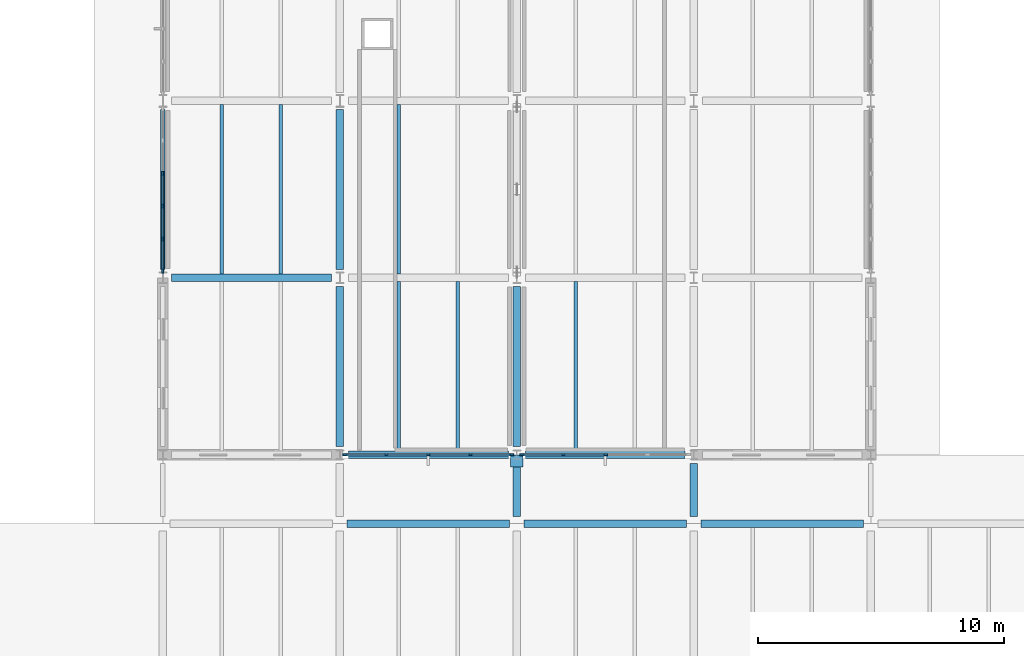
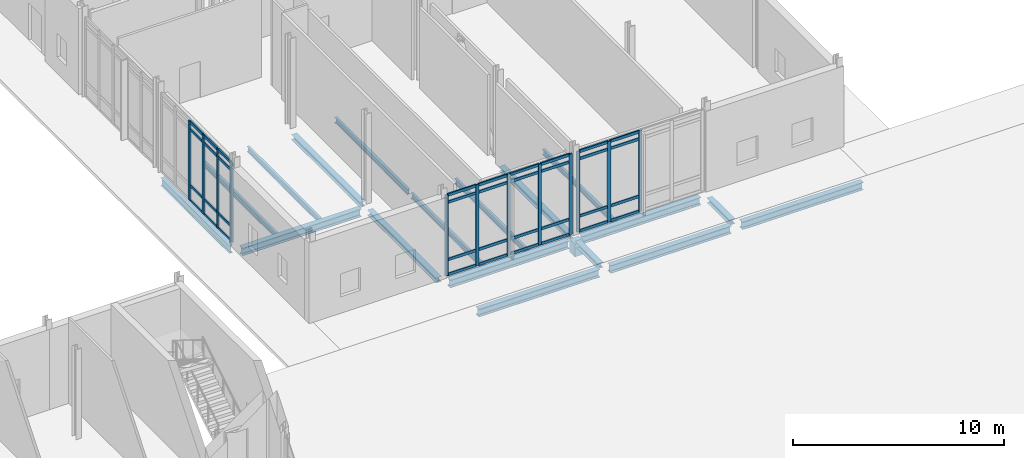
# One storey, part 31 of 89: 48 members, 19 beams, 3 elements without a shape of their own.
"""IFC4 building model written with IfcOpenShell, lengths in metres."""

from ifc_helpers import new_model, si_unit, direction, frame, origin, origin_2d, place, context, subcontext, project, spatial, rectangle, i_section, extrude, material, layer, layer_set, material_profile, profile_set, type_object, element, aggregate, save


model = new_model("IFC4")

# Units and contexts
model_context = context("Model", 3, precision=1e-05, world=origin(), true_north=direction((0.0, 1.0)))
body_context = subcontext(model_context, "Body", "Model", "MODEL_VIEW")
ifc_project = project(units=[si_unit("LENGTHUNIT", "METRE"), si_unit("AREAUNIT", "SQUARE_METRE"), si_unit("VOLUMEUNIT", "CUBIC_METRE"), si_unit("PLANEANGLEUNIT", "RADIAN"), si_unit("MASSUNIT", "GRAM", prefix="KILO")], contexts=[model_context])

# Site, building, storey
site_placement = place(None, origin())
site = spatial("IfcSite", under=ifc_project, at=site_placement, CompositionType="ELEMENT")
building_placement = place(site_placement, origin())
building = spatial("IfcBuilding", under=site, at=building_placement, Name="Zarrinpeak Specialist Clinic", CompositionType="ELEMENT")
storey_placement = place(building_placement, origin())
storey = spatial("IfcBuildingStorey", under=building, at=storey_placement, Name="L00", CompositionType="ELEMENT", Elevation=0.0)

# Beams
ifc_material_1 = material(Name="Steel S355", Category="steel")
ifc_material_profile_1 = material_profile(ifc_material_1, i_section(OverallWidth=0.300048828125, OverallDepth=0.2900390625, WebThickness=0.008544921875, FlangeThickness=0.013916015625, FilletRadius=0.027099609375, at=origin_2d()), Name="HEA 300")
ifc_profile_set_1 = profile_set([ifc_material_profile_1], Name="Steel S355")
beam_type_1 = type_object("IfcBeamType", Name="BM-HEA300", PredefinedType="BEAM", material=ifc_profile_set_1)
beam_1_placement = place(storey_placement, frame((43.199951171875, 82.347900390625, -0.39501953125), z_axis=(0.0, 1.0, 0.0), x_axis=(-1.0, 0.0, 0.0)))
element("IfcBeam", 1, at=beam_1_placement, inside=storey, type_object=beam_type_1, Name="L00 Primary Beam BM-L00-Y0290", PredefinedType="BEAM", context=body_context, shape_type="SweptSolid", body=[
    extrude(i_section(OverallWidth=0.300048828125, OverallDepth=0.2900390625, WebThickness=0.008544921875, FlangeThickness=0.013916015625, FilletRadius=0.027099609375, at=origin_2d()), origin(), (0.0, 0.0, 1.0), 6.504150390625),
])
beam_2_placement = place(storey_placement, frame((43.199951171875, 89.548095703125, -0.39501953125), z_axis=(0.0, 1.0, 0.0), x_axis=(-1.0, 0.0, 0.0)))
element("IfcBeam", 2, at=beam_2_placement, inside=storey, type_object=beam_type_1, Name="L00 Primary Beam BM-L00-Y0291", PredefinedType="BEAM", context=body_context, shape_type="SweptSolid", body=[
    extrude(i_section(OverallWidth=0.300048828125, OverallDepth=0.2900390625, WebThickness=0.008544921875, FlangeThickness=0.013916015625, FilletRadius=0.027099609375, at=origin_2d()), origin(), (0.0, 0.0, 1.0), 6.50390625),
])
beam_3_placement = place(storey_placement, frame((50.39990234375, 79.498046875, -0.364990234375), z_axis=(0.0, 1.0, 0.0), x_axis=(-1.0, 0.0, 0.0)))
element("IfcBeam", 3, at=beam_3_placement, inside=storey, type_object=beam_type_1, Name="L00 Primary Beam BM-L00-Y0306", PredefinedType="BEAM", context=body_context, shape_type="SweptSolid", body=[
    extrude(i_section(OverallWidth=0.300048828125, OverallDepth=0.2900390625, WebThickness=0.008544921875, FlangeThickness=0.013916015625, FilletRadius=0.027099609375, at=origin_2d()), origin(), (0.0, 0.0, 1.0), 2.154052734375),
])
beam_4_placement = place(storey_placement, frame((50.39990234375, 82.347900390625, -0.39501953125), z_axis=(0.0, 1.0, 0.0), x_axis=(-1.0, 0.0, 0.0)))
element("IfcBeam", 4, at=beam_4_placement, inside=storey, type_object=beam_type_1, Name="L00 Primary Beam BM-L00-Y0307", PredefinedType="BEAM", context=body_context, shape_type="SweptSolid", body=[
    extrude(i_section(OverallWidth=0.300048828125, OverallDepth=0.2900390625, WebThickness=0.008544921875, FlangeThickness=0.013916015625, FilletRadius=0.027099609375, at=origin_2d()), origin(), (0.0, 0.0, 1.0), 6.504150390625),
])
beam_5_placement = place(storey_placement, frame((57.60009765625, 79.498046875, -0.364990234375), z_axis=(0.0, 1.0, 0.0), x_axis=(-1.0, 0.0, 0.0)))
element("IfcBeam", 5, at=beam_5_placement, inside=storey, type_object=beam_type_1, Name="L00 Primary Beam BM-L00-Y0321", PredefinedType="BEAM", context=body_context, shape_type="SweptSolid", body=[
    extrude(i_section(OverallWidth=0.300048828125, OverallDepth=0.2900390625, WebThickness=0.008544921875, FlangeThickness=0.013916015625, FilletRadius=0.027099609375, at=origin_2d()), origin(), (0.0, 0.0, 1.0), 2.154052734375),
])
ifc_material_profile_2 = material_profile(ifc_material_1, i_section(OverallWidth=0.300048828125, OverallDepth=0.43994140625, WebThickness=0.011474609375, FlangeThickness=0.02099609375, FilletRadius=0.027099609375, at=origin_2d()), Name="HEA 450")
ifc_profile_set_2 = profile_set([ifc_material_profile_2], Name="Steel S355")
beam_type_2 = type_object("IfcBeamType", Name="BM-HEA450", PredefinedType="BEAM", material=ifc_profile_set_2)
for number, where, z_axis, x_axis, name in (
    (6, (43.498046875, 79.199951171875, -0.43994140625), (1.0, 0.0, 0.0), (0.0, 1.0, 0.0), "L00 Primary Floor Girder BM-L00-X0179"),
    (7, (50.697998046875, 79.199951171875, -0.43994140625), (1.0, 0.0, 0.0), (0.0, 1.0, 0.0), "L00 Primary Floor Girder BM-L00-X0180"),
    (8, (57.89794921875, 79.199951171875, -0.43994140625), (1.0, 0.0, 0.0), (0.0, 1.0, 0.0), "L00 Primary Floor Girder BM-L00-X0181"),
):
    element("IfcBeam", number, at=place(storey_placement, frame(where, z_axis=z_axis, x_axis=x_axis)), inside=storey, type_object=beam_type_2, Name=name, PredefinedType="BEAM", context=body_context, shape_type="SweptSolid", body=[
        extrude(i_section(OverallWidth=0.300048828125, OverallDepth=0.43994140625, WebThickness=0.011474609375, FlangeThickness=0.02099609375, FilletRadius=0.027099609375, at=origin_2d()), origin(), (0.0, 0.0, 1.0), 6.60400390625),
    ])
for number, where, z_axis, x_axis, name in (
    (9, (43.548095703125, 82.0, -0.469970703125), (1.0, 0.0, 0.0), (0.0, 1.0, 0.0), "L00 Primary Floor Girder BM-L00-X0190"),
    (10, (50.748046875, 82.0, -0.469970703125), (1.0, 0.0, 0.0), (0.0, 1.0, 0.0), "L00 Primary Floor Girder BM-L00-X0191"),
):
    element("IfcBeam", number, at=place(storey_placement, frame(where, z_axis=z_axis, x_axis=x_axis)), inside=storey, type_object=beam_type_2, Name=name, PredefinedType="BEAM", context=body_context, shape_type="SweptSolid", body=[
        extrude(i_section(OverallWidth=0.300048828125, OverallDepth=0.43994140625, WebThickness=0.011474609375, FlangeThickness=0.02099609375, FilletRadius=0.027099609375, at=origin_2d()), origin(), (0.0, 0.0, 1.0), 6.50390625),
    ])
beam_6_placement = place(storey_placement, frame((36.347900390625, 89.199951171875, -0.469970703125), z_axis=(1.0, 0.0, 0.0), x_axis=(0.0, 1.0, 0.0)))
element("IfcBeam", 11, at=beam_6_placement, inside=storey, type_object=beam_type_2, Name="L00 Primary Floor Girder BM-L00-X0193", PredefinedType="BEAM", context=body_context, shape_type="SweptSolid", body=[
    extrude(i_section(OverallWidth=0.300048828125, OverallDepth=0.43994140625, WebThickness=0.011474609375, FlangeThickness=0.02099609375, FilletRadius=0.027099609375, at=origin_2d()), origin(), (0.0, 0.0, 1.0), 6.504150390625),
])
ifc_material_profile_3 = material_profile(ifc_material_1, i_section(OverallWidth=0.14990234375, OverallDepth=0.300048828125, WebThickness=0.007080078125, FlangeThickness=0.0107421875, FilletRadius=0.014892578125, at=origin_2d()), Name="IPE 300")
ifc_profile_set_3 = profile_set([ifc_material_profile_3], Name="Steel S355")
beam_type_3 = type_object("IfcBeamType", Name="BM-JST300", PredefinedType="JOIST", material=ifc_profile_set_3)
for number, where, z_axis, x_axis, name in (
    (12, (38.39990234375, 89.347900390625, -0.39990234375), (0.0, 1.0, 0.0), (-1.0, 0.0, 0.0), "L00 Composite Floor Joist JST-L00-0574"),
    (13, (40.800048828125, 89.347900390625, -0.39990234375), (0.0, 1.0, 0.0), (-1.0, 0.0, 0.0), "L00 Composite Floor Joist JST-L00-0575"),
    (14, (45.60009765625, 82.14794921875, -0.39990234375), (0.0, 1.0, 0.0), (-1.0, 0.0, 0.0), "L00 Composite Floor Joist JST-L00-0578"),
    (15, (48.0, 82.14794921875, -0.39990234375), (0.0, 1.0, 0.0), (-1.0, 0.0, 0.0), "L00 Composite Floor Joist JST-L00-0579"),
    (16, (45.60009765625, 89.347900390625, -0.39990234375), (0.0, 1.0, 0.0), (-1.0, 0.0, 0.0), "L00 Composite Floor Joist JST-L00-0580"),
    (17, (52.800048828125, 82.14794921875, -0.39990234375), (0.0, 1.0, 0.0), (-1.0, 0.0, 0.0), "L00 Composite Floor Joist JST-L00-0588"),
):
    element("IfcBeam", number, at=place(storey_placement, frame(where, z_axis=z_axis, x_axis=x_axis)), inside=storey, type_object=beam_type_3, Name=name, PredefinedType="JOIST", context=body_context, shape_type="SweptSolid", body=[
        extrude(i_section(OverallWidth=0.14990234375, OverallDepth=0.300048828125, WebThickness=0.007080078125, FlangeThickness=0.0107421875, FilletRadius=0.014892578125, at=origin_2d()), origin(), (0.0, 0.0, 1.0), 6.904052734375),
    ])
ifc_material_2 = material(Name="Concrete C40/50", Category="concrete")
ifc_material_profile_4 = material_profile(ifc_material_2, rectangle(XDim=0.5, YDim=0.75, at=origin_2d()), Name="RC 500x750")
ifc_profile_set_4 = profile_set([ifc_material_profile_4], Name="Concrete C40/50")
beam_type_4 = type_object("IfcBeamType", Name="BM-RC500", PredefinedType="BEAM", material=ifc_profile_set_4)
beam_7_placement = place(storey_placement, frame((50.39990234375, 82.0, -0.625), z_axis=(0.0, -1.0, 0.0), x_axis=(1.0, 0.0, 0.0)))
element("IfcBeam", 18, at=beam_7_placement, inside=storey, type_object=beam_type_4, Name="L00 500 mm Bridge Seat Corbel SJ-5", PredefinedType="BEAM", context=body_context, shape_type="SweptSolid", body=[
    extrude(rectangle(XDim=0.5, YDim=0.75, at=origin_2d()), origin(), (0.0, 0.0, 1.0), 0.5),
])
ifc_material_profile_5 = material_profile(ifc_material_1, i_section(OverallWidth=0.18994140625, OverallDepth=0.449951171875, WebThickness=0.009521484375, FlangeThickness=0.0146484375, FilletRadius=0.02099609375, at=origin_2d()), Name="IPE 450")
ifc_profile_set_5 = profile_set([ifc_material_profile_5], Name="Steel S355")
beam_type_5 = type_object("IfcBeamType", Name="BM-SP450", PredefinedType="SPANDREL", material=ifc_profile_set_5)
beam_8_placement = place(storey_placement, frame((36.0, 89.548095703125, -0.47509765625), z_axis=(0.0, 1.0, 0.0), x_axis=(-1.0, 0.0, 0.0)))
element("IfcBeam", 19, at=beam_8_placement, inside=storey, type_object=beam_type_5, Name="L00 Perimeter Spandrel Beam BM-L00-Y0276", PredefinedType="SPANDREL", context=body_context, shape_type="SweptSolid", body=[
    extrude(i_section(OverallWidth=0.18994140625, OverallDepth=0.449951171875, WebThickness=0.009521484375, FlangeThickness=0.0146484375, FilletRadius=0.02099609375, at=origin_2d()), origin(), (0.0, 0.0, 1.0), 6.50390625),
])

# Curtain wall, members
ifc_material_3 = material(Name="Anodised Aluminium Alloy 6063-T6", Category="aluminium")
ifc_layer_1 = layer(ifc_material_3, 0.179931640625)
ifc_layer_set_1 = layer_set([ifc_layer_1], Name="Anodised Aluminium Alloy 6063-T6")
curtain_wall_type_1 = type_object("IfcCurtainWallType", Name="CW-COURT", PredefinedType="NOTDEFINED", material=ifc_layer_set_1)
curtain_wall_1_placement = place(storey_placement, origin())
curtain_wall_1 = element("IfcCurtainWall", 20, at=curtain_wall_1_placement, inside=storey, type_object=curtain_wall_type_1, Name="L00 V6 Unitised Curtain Wall CW-L00-V6-129", PredefinedType="NOTDEFINED")
ifc_material_profile_6 = material_profile(ifc_material_3, rectangle(XDim=0.074951171875, YDim=0.179931640625, at=origin_2d()), Name="ALU 75x180")
ifc_profile_set_6 = profile_set([ifc_material_profile_6], Name="Anodised Aluminium Alloy 6063-T6")
member_type_1 = type_object("IfcMemberType", Name="CWM-75", PredefinedType="MULLION", material=ifc_profile_set_6)
member_1_placement = place(storey_placement, frame((43.41259765625, 82.0, 0.0), z_axis=(0.0, 0.0, 1.0), x_axis=(0.0, 1.0, 0.0)))
member_1 = element("IfcMember", 21, at=member_1_placement, type_object=member_type_1, Name="CW-01 mullion 1", PredefinedType="MULLION", context=body_context, shape_type="SweptSolid", body=[
    extrude(rectangle(XDim=0.074951171875, YDim=0.179931640625, at=origin_2d()), origin(), (0.0, 0.0, 1.0), 4.6650390625),
])
member_2_placement = place(storey_placement, frame((45.08740234375, 82.0, 0.0), z_axis=(0.0, 0.0, 1.0), x_axis=(0.0, 1.0, 0.0)))
member_2 = element("IfcMember", 22, at=member_2_placement, type_object=member_type_1, Name="CW-01 mullion 2", PredefinedType="MULLION", context=body_context, shape_type="SweptSolid", body=[
    extrude(rectangle(XDim=0.074951171875, YDim=0.179931640625, at=origin_2d()), origin(), (0.0, 0.0, 1.0), 4.6650390625),
])
member_3_placement = place(storey_placement, frame((46.800048828125, 82.0, 0.0), z_axis=(0.0, 0.0, 1.0), x_axis=(0.0, 1.0, 0.0)))
member_3 = element("IfcMember", 23, at=member_3_placement, type_object=member_type_1, Name="CW-01 mullion 3", PredefinedType="MULLION", context=body_context, shape_type="SweptSolid", body=[
    extrude(rectangle(XDim=0.074951171875, YDim=0.179931640625, at=origin_2d()), origin(), (0.0, 0.0, 1.0), 4.6650390625),
])
member_4_placement = place(storey_placement, frame((48.512451171875, 82.0, 0.0), z_axis=(0.0, 0.0, 1.0), x_axis=(0.0, 1.0, 0.0)))
member_4 = element("IfcMember", 24, at=member_4_placement, type_object=member_type_1, Name="CW-01 mullion 4", PredefinedType="MULLION", context=body_context, shape_type="SweptSolid", body=[
    extrude(rectangle(XDim=0.074951171875, YDim=0.179931640625, at=origin_2d()), origin(), (0.0, 0.0, 1.0), 4.6650390625),
])
member_5_placement = place(storey_placement, frame((50.1875, 82.0, 0.0), z_axis=(0.0, 0.0, 1.0), x_axis=(0.0, 1.0, 0.0)))
member_5 = element("IfcMember", 25, at=member_5_placement, type_object=member_type_1, Name="CW-01 mullion 5", PredefinedType="MULLION", context=body_context, shape_type="SweptSolid", body=[
    extrude(rectangle(XDim=0.074951171875, YDim=0.179931640625, at=origin_2d()), origin(), (0.0, 0.0, 1.0), 4.6650390625),
])

curtain_wall_2_placement = place(storey_placement, origin())
curtain_wall_2 = element("IfcCurtainWall", 26, at=curtain_wall_2_placement, inside=storey, type_object=curtain_wall_type_1, Name="L00 V6 Unitised Curtain Wall CW-L00-V6-130", PredefinedType="NOTDEFINED")
member_6_placement = place(storey_placement, frame((50.612548828125, 82.0, 0.0), z_axis=(0.0, 0.0, 1.0), x_axis=(0.0, 1.0, 0.0)))
member_6 = element("IfcMember", 27, at=member_6_placement, type_object=member_type_1, Name="CW-01 mullion 1", PredefinedType="MULLION", context=body_context, shape_type="SweptSolid", body=[
    extrude(rectangle(XDim=0.074951171875, YDim=0.179931640625, at=origin_2d()), origin(), (0.0, 0.0, 1.0), 4.6650390625),
])
member_7_placement = place(storey_placement, frame((52.28759765625, 82.0, 0.0), z_axis=(0.0, 0.0, 1.0), x_axis=(0.0, 1.0, 0.0)))
member_7 = element("IfcMember", 28, at=member_7_placement, type_object=member_type_1, Name="CW-01 mullion 2", PredefinedType="MULLION", context=body_context, shape_type="SweptSolid", body=[
    extrude(rectangle(XDim=0.074951171875, YDim=0.179931640625, at=origin_2d()), origin(), (0.0, 0.0, 1.0), 4.6650390625),
])
member_8_placement = place(storey_placement, frame((54.0, 82.0, 0.0), z_axis=(0.0, 0.0, 1.0), x_axis=(0.0, 1.0, 0.0)))
member_8 = element("IfcMember", 29, at=member_8_placement, type_object=member_type_1, Name="CW-01 mullion 3", PredefinedType="MULLION", context=body_context, shape_type="SweptSolid", body=[
    extrude(rectangle(XDim=0.074951171875, YDim=0.179931640625, at=origin_2d()), origin(), (0.0, 0.0, 1.0), 4.6650390625),
])

ifc_layer_2 = layer(ifc_material_3, 0.1650390625)
ifc_layer_set_2 = layer_set([ifc_layer_2], Name="Anodised Aluminium Alloy 6063-T6")
curtain_wall_type_2 = type_object("IfcCurtainWallType", Name="CW-CLINIC", PredefinedType="NOTDEFINED", material=ifc_layer_set_2)
curtain_wall_3_placement = place(storey_placement, origin())
curtain_wall_3 = element("IfcCurtainWall", 30, at=curtain_wall_3_placement, inside=storey, type_object=curtain_wall_type_2, Name="L00 V6 Unitised Curtain Wall CW-L00-V6-131", PredefinedType="NOTDEFINED")
member_9_placement = place(storey_placement, frame((36.0, 93.455078125, 0.0), z_axis=(0.0, 0.0, 1.0), x_axis=(1.0, 0.0, 0.0)))
member_9 = element("IfcMember", 31, at=member_9_placement, type_object=member_type_1, Name="CW-03 mullion 3", PredefinedType="MULLION", context=body_context, shape_type="SweptSolid", body=[
    extrude(rectangle(XDim=0.074951171875, YDim=0.179931640625, at=origin_2d()), origin(), (0.0, 0.0, 1.0), 4.594970703125),
])
member_10_placement = place(storey_placement, frame((36.0, 92.1201171875, 0.0), z_axis=(0.0, 0.0, 1.0), x_axis=(1.0, 0.0, 0.0)))
member_10 = element("IfcMember", 32, at=member_10_placement, type_object=member_type_1, Name="CW-03 mullion 4", PredefinedType="MULLION", context=body_context, shape_type="SweptSolid", body=[
    extrude(rectangle(XDim=0.074951171875, YDim=0.179931640625, at=origin_2d()), origin(), (0.0, 0.0, 1.0), 4.594970703125),
])
member_11_placement = place(storey_placement, frame((36.0, 90.784912109375, 0.0), z_axis=(0.0, 0.0, 1.0), x_axis=(1.0, 0.0, 0.0)))
member_11 = element("IfcMember", 33, at=member_11_placement, type_object=member_type_1, Name="CW-03 mullion 5", PredefinedType="MULLION", context=body_context, shape_type="SweptSolid", body=[
    extrude(rectangle(XDim=0.074951171875, YDim=0.179931640625, at=origin_2d()), origin(), (0.0, 0.0, 1.0), 4.594970703125),
])
member_12_placement = place(storey_placement, frame((36.0, 89.487548828125, 0.0), z_axis=(0.0, 0.0, 1.0), x_axis=(1.0, 0.0, 0.0)))
member_12 = element("IfcMember", 34, at=member_12_placement, type_object=member_type_1, Name="CW-03 mullion 6", PredefinedType="MULLION", context=body_context, shape_type="SweptSolid", body=[
    extrude(rectangle(XDim=0.074951171875, YDim=0.179931640625, at=origin_2d()), origin(), (0.0, 0.0, 1.0), 4.594970703125),
])

# Member
ifc_material_profile_7 = material_profile(ifc_material_3, rectangle(XDim=0.074951171875, YDim=0.159912109375, at=origin_2d()), Name="ALU 75x160")
ifc_profile_set_7 = profile_set([ifc_material_profile_7], Name="Anodised Aluminium Alloy 6063-T6")
member_type_2 = type_object("IfcMemberType", Name="CWT-75", PredefinedType="USERDEFINED", material=ifc_profile_set_7)
member_13_placement = place(storey_placement, frame((43.449951171875, 82.0, 0.03759765625), z_axis=(1.0, 0.0, 0.0), x_axis=(0.0, 1.0, 0.0)))
member_13 = element("IfcMember", 35, at=member_13_placement, type_object=member_type_2, Name="CW-01 transom 1.1", ObjectType="TRANSOM", PredefinedType="USERDEFINED", context=body_context, shape_type="SweptSolid", body=[
    extrude(rectangle(XDim=0.074951171875, YDim=0.159912109375, at=origin_2d()), origin(), (0.0, 0.0, 1.0), 1.60009765625),
])

member_14_placement = place(storey_placement, frame((43.449951171875, 82.0, 0.89990234375), z_axis=(1.0, 0.0, 0.0), x_axis=(0.0, 1.0, 0.0)))
member_14 = element("IfcMember", 36, at=member_14_placement, type_object=member_type_2, Name="CW-01 transom 1.2", ObjectType="TRANSOM", PredefinedType="USERDEFINED", context=body_context, shape_type="SweptSolid", body=[
    extrude(rectangle(XDim=0.074951171875, YDim=0.159912109375, at=origin_2d()), origin(), (0.0, 0.0, 1.0), 1.60009765625),
])

member_15_placement = place(storey_placement, frame((43.449951171875, 82.0, 4.215087890625), z_axis=(1.0, 0.0, 0.0), x_axis=(0.0, 1.0, 0.0)))
member_15 = element("IfcMember", 37, at=member_15_placement, type_object=member_type_2, Name="CW-01 transom 1.3", ObjectType="TRANSOM", PredefinedType="USERDEFINED", context=body_context, shape_type="SweptSolid", body=[
    extrude(rectangle(XDim=0.074951171875, YDim=0.159912109375, at=origin_2d()), origin(), (0.0, 0.0, 1.0), 1.60009765625),
])

member_16_placement = place(storey_placement, frame((43.449951171875, 82.0, 4.62744140625), z_axis=(1.0, 0.0, 0.0), x_axis=(0.0, 1.0, 0.0)))
member_16 = element("IfcMember", 38, at=member_16_placement, type_object=member_type_2, Name="CW-01 transom 1.4", ObjectType="TRANSOM", PredefinedType="USERDEFINED", context=body_context, shape_type="SweptSolid", body=[
    extrude(rectangle(XDim=0.074951171875, YDim=0.159912109375, at=origin_2d()), origin(), (0.0, 0.0, 1.0), 1.60009765625),
])

member_17_placement = place(storey_placement, frame((45.125, 82.0, 0.03759765625), z_axis=(1.0, 0.0, 0.0), x_axis=(0.0, 1.0, 0.0)))
member_17 = element("IfcMember", 39, at=member_17_placement, type_object=member_type_2, Name="CW-01 transom 2.1", ObjectType="TRANSOM", PredefinedType="USERDEFINED", context=body_context, shape_type="SweptSolid", body=[
    extrude(rectangle(XDim=0.074951171875, YDim=0.159912109375, at=origin_2d()), origin(), (0.0, 0.0, 1.0), 1.637451171875),
])

member_18_placement = place(storey_placement, frame((45.125, 82.0, 0.89990234375), z_axis=(1.0, 0.0, 0.0), x_axis=(0.0, 1.0, 0.0)))
member_18 = element("IfcMember", 40, at=member_18_placement, type_object=member_type_2, Name="CW-01 transom 2.2", ObjectType="TRANSOM", PredefinedType="USERDEFINED", context=body_context, shape_type="SweptSolid", body=[
    extrude(rectangle(XDim=0.074951171875, YDim=0.159912109375, at=origin_2d()), origin(), (0.0, 0.0, 1.0), 1.637451171875),
])

member_19_placement = place(storey_placement, frame((45.125, 82.0, 4.215087890625), z_axis=(1.0, 0.0, 0.0), x_axis=(0.0, 1.0, 0.0)))
member_19 = element("IfcMember", 41, at=member_19_placement, type_object=member_type_2, Name="CW-01 transom 2.3", ObjectType="TRANSOM", PredefinedType="USERDEFINED", context=body_context, shape_type="SweptSolid", body=[
    extrude(rectangle(XDim=0.074951171875, YDim=0.159912109375, at=origin_2d()), origin(), (0.0, 0.0, 1.0), 1.637451171875),
])

member_20_placement = place(storey_placement, frame((45.125, 82.0, 4.62744140625), z_axis=(1.0, 0.0, 0.0), x_axis=(0.0, 1.0, 0.0)))
member_20 = element("IfcMember", 42, at=member_20_placement, type_object=member_type_2, Name="CW-01 transom 2.4", ObjectType="TRANSOM", PredefinedType="USERDEFINED", context=body_context, shape_type="SweptSolid", body=[
    extrude(rectangle(XDim=0.074951171875, YDim=0.159912109375, at=origin_2d()), origin(), (0.0, 0.0, 1.0), 1.637451171875),
])

member_21_placement = place(storey_placement, frame((46.83740234375, 82.0, 0.03759765625), z_axis=(1.0, 0.0, 0.0), x_axis=(0.0, 1.0, 0.0)))
member_21 = element("IfcMember", 43, at=member_21_placement, type_object=member_type_2, Name="CW-01 transom 3.1", ObjectType="TRANSOM", PredefinedType="USERDEFINED", context=body_context, shape_type="SweptSolid", body=[
    extrude(rectangle(XDim=0.074951171875, YDim=0.159912109375, at=origin_2d()), origin(), (0.0, 0.0, 1.0), 1.6376953125),
])

member_22_placement = place(storey_placement, frame((46.83740234375, 82.0, 0.89990234375), z_axis=(1.0, 0.0, 0.0), x_axis=(0.0, 1.0, 0.0)))
member_22 = element("IfcMember", 44, at=member_22_placement, type_object=member_type_2, Name="CW-01 transom 3.2", ObjectType="TRANSOM", PredefinedType="USERDEFINED", context=body_context, shape_type="SweptSolid", body=[
    extrude(rectangle(XDim=0.074951171875, YDim=0.159912109375, at=origin_2d()), origin(), (0.0, 0.0, 1.0), 1.6376953125),
])

member_23_placement = place(storey_placement, frame((46.83740234375, 82.0, 4.215087890625), z_axis=(1.0, 0.0, 0.0), x_axis=(0.0, 1.0, 0.0)))
member_23 = element("IfcMember", 45, at=member_23_placement, type_object=member_type_2, Name="CW-01 transom 3.3", ObjectType="TRANSOM", PredefinedType="USERDEFINED", context=body_context, shape_type="SweptSolid", body=[
    extrude(rectangle(XDim=0.074951171875, YDim=0.159912109375, at=origin_2d()), origin(), (0.0, 0.0, 1.0), 1.6376953125),
])

member_24_placement = place(storey_placement, frame((46.83740234375, 82.0, 4.62744140625), z_axis=(1.0, 0.0, 0.0), x_axis=(0.0, 1.0, 0.0)))
member_24 = element("IfcMember", 46, at=member_24_placement, type_object=member_type_2, Name="CW-01 transom 3.4", ObjectType="TRANSOM", PredefinedType="USERDEFINED", context=body_context, shape_type="SweptSolid", body=[
    extrude(rectangle(XDim=0.074951171875, YDim=0.159912109375, at=origin_2d()), origin(), (0.0, 0.0, 1.0), 1.6376953125),
])

member_25_placement = place(storey_placement, frame((48.550048828125, 82.0, 0.03759765625), z_axis=(1.0, 0.0, 0.0), x_axis=(0.0, 1.0, 0.0)))
member_25 = element("IfcMember", 47, at=member_25_placement, type_object=member_type_2, Name="CW-01 transom 4.1", ObjectType="TRANSOM", PredefinedType="USERDEFINED", context=body_context, shape_type="SweptSolid", body=[
    extrude(rectangle(XDim=0.074951171875, YDim=0.159912109375, at=origin_2d()), origin(), (0.0, 0.0, 1.0), 1.599853515625),
])

member_26_placement = place(storey_placement, frame((48.550048828125, 82.0, 0.89990234375), z_axis=(1.0, 0.0, 0.0), x_axis=(0.0, 1.0, 0.0)))
member_26 = element("IfcMember", 48, at=member_26_placement, type_object=member_type_2, Name="CW-01 transom 4.2", ObjectType="TRANSOM", PredefinedType="USERDEFINED", context=body_context, shape_type="SweptSolid", body=[
    extrude(rectangle(XDim=0.074951171875, YDim=0.159912109375, at=origin_2d()), origin(), (0.0, 0.0, 1.0), 1.599853515625),
])

member_27_placement = place(storey_placement, frame((48.550048828125, 82.0, 4.215087890625), z_axis=(1.0, 0.0, 0.0), x_axis=(0.0, 1.0, 0.0)))
member_27 = element("IfcMember", 49, at=member_27_placement, type_object=member_type_2, Name="CW-01 transom 4.3", ObjectType="TRANSOM", PredefinedType="USERDEFINED", context=body_context, shape_type="SweptSolid", body=[
    extrude(rectangle(XDim=0.074951171875, YDim=0.159912109375, at=origin_2d()), origin(), (0.0, 0.0, 1.0), 1.599853515625),
])

member_28_placement = place(storey_placement, frame((48.550048828125, 82.0, 4.62744140625), z_axis=(1.0, 0.0, 0.0), x_axis=(0.0, 1.0, 0.0)))
member_28 = element("IfcMember", 50, at=member_28_placement, type_object=member_type_2, Name="CW-01 transom 4.4", ObjectType="TRANSOM", PredefinedType="USERDEFINED", context=body_context, shape_type="SweptSolid", body=[
    extrude(rectangle(XDim=0.074951171875, YDim=0.159912109375, at=origin_2d()), origin(), (0.0, 0.0, 1.0), 1.599853515625),
])

aggregate(curtain_wall_1, [member_1, member_2, member_3, member_4, member_5, member_13, member_14, member_15, member_16, member_17, member_18, member_19, member_20, member_21, member_22, member_23, member_24, member_25, member_26, member_27, member_28])

member_29_placement = place(storey_placement, frame((50.64990234375, 82.0, 0.03759765625), z_axis=(1.0, 0.0, 0.0), x_axis=(0.0, 1.0, 0.0)))
member_29 = element("IfcMember", 51, at=member_29_placement, type_object=member_type_2, Name="CW-01 transom 1.1", ObjectType="TRANSOM", PredefinedType="USERDEFINED", context=body_context, shape_type="SweptSolid", body=[
    extrude(rectangle(XDim=0.074951171875, YDim=0.159912109375, at=origin_2d()), origin(), (0.0, 0.0, 1.0), 1.60009765625),
])

member_30_placement = place(storey_placement, frame((50.64990234375, 82.0, 0.89990234375), z_axis=(1.0, 0.0, 0.0), x_axis=(0.0, 1.0, 0.0)))
member_30 = element("IfcMember", 52, at=member_30_placement, type_object=member_type_2, Name="CW-01 transom 1.2", ObjectType="TRANSOM", PredefinedType="USERDEFINED", context=body_context, shape_type="SweptSolid", body=[
    extrude(rectangle(XDim=0.074951171875, YDim=0.159912109375, at=origin_2d()), origin(), (0.0, 0.0, 1.0), 1.60009765625),
])

member_31_placement = place(storey_placement, frame((50.64990234375, 82.0, 4.215087890625), z_axis=(1.0, 0.0, 0.0), x_axis=(0.0, 1.0, 0.0)))
member_31 = element("IfcMember", 53, at=member_31_placement, type_object=member_type_2, Name="CW-01 transom 1.3", ObjectType="TRANSOM", PredefinedType="USERDEFINED", context=body_context, shape_type="SweptSolid", body=[
    extrude(rectangle(XDim=0.074951171875, YDim=0.159912109375, at=origin_2d()), origin(), (0.0, 0.0, 1.0), 1.60009765625),
])

member_32_placement = place(storey_placement, frame((50.64990234375, 82.0, 4.62744140625), z_axis=(1.0, 0.0, 0.0), x_axis=(0.0, 1.0, 0.0)))
member_32 = element("IfcMember", 54, at=member_32_placement, type_object=member_type_2, Name="CW-01 transom 1.4", ObjectType="TRANSOM", PredefinedType="USERDEFINED", context=body_context, shape_type="SweptSolid", body=[
    extrude(rectangle(XDim=0.074951171875, YDim=0.159912109375, at=origin_2d()), origin(), (0.0, 0.0, 1.0), 1.60009765625),
])

member_33_placement = place(storey_placement, frame((52.324951171875, 82.0, 0.03759765625), z_axis=(1.0, 0.0, 0.0), x_axis=(0.0, 1.0, 0.0)))
member_33 = element("IfcMember", 55, at=member_33_placement, type_object=member_type_2, Name="CW-01 transom 2.1", ObjectType="TRANSOM", PredefinedType="USERDEFINED", context=body_context, shape_type="SweptSolid", body=[
    extrude(rectangle(XDim=0.074951171875, YDim=0.159912109375, at=origin_2d()), origin(), (0.0, 0.0, 1.0), 1.637451171875),
])

member_34_placement = place(storey_placement, frame((52.324951171875, 82.0, 0.89990234375), z_axis=(1.0, 0.0, 0.0), x_axis=(0.0, 1.0, 0.0)))
member_34 = element("IfcMember", 56, at=member_34_placement, type_object=member_type_2, Name="CW-01 transom 2.2", ObjectType="TRANSOM", PredefinedType="USERDEFINED", context=body_context, shape_type="SweptSolid", body=[
    extrude(rectangle(XDim=0.074951171875, YDim=0.159912109375, at=origin_2d()), origin(), (0.0, 0.0, 1.0), 1.637451171875),
])

member_35_placement = place(storey_placement, frame((52.324951171875, 82.0, 4.215087890625), z_axis=(1.0, 0.0, 0.0), x_axis=(0.0, 1.0, 0.0)))
member_35 = element("IfcMember", 57, at=member_35_placement, type_object=member_type_2, Name="CW-01 transom 2.3", ObjectType="TRANSOM", PredefinedType="USERDEFINED", context=body_context, shape_type="SweptSolid", body=[
    extrude(rectangle(XDim=0.074951171875, YDim=0.159912109375, at=origin_2d()), origin(), (0.0, 0.0, 1.0), 1.637451171875),
])

member_36_placement = place(storey_placement, frame((52.324951171875, 82.0, 4.62744140625), z_axis=(1.0, 0.0, 0.0), x_axis=(0.0, 1.0, 0.0)))
member_36 = element("IfcMember", 58, at=member_36_placement, type_object=member_type_2, Name="CW-01 transom 2.4", ObjectType="TRANSOM", PredefinedType="USERDEFINED", context=body_context, shape_type="SweptSolid", body=[
    extrude(rectangle(XDim=0.074951171875, YDim=0.159912109375, at=origin_2d()), origin(), (0.0, 0.0, 1.0), 1.637451171875),
])

aggregate(curtain_wall_2, [member_6, member_7, member_8, member_29, member_30, member_31, member_32, member_33, member_34, member_35, member_36])

member_37_placement = place(storey_placement, frame((36.0, 93.41748046875, 0.03759765625), z_axis=(0.0, -1.0, 0.0), x_axis=(1.0, 0.0, 0.0)))
member_37 = element("IfcMember", 59, at=member_37_placement, type_object=member_type_2, Name="CW-03 transom 3.1", ObjectType="TRANSOM", PredefinedType="USERDEFINED", context=body_context, shape_type="SweptSolid", body=[
    extrude(rectangle(XDim=0.074951171875, YDim=0.159912109375, at=origin_2d()), origin(), (0.0, 0.0, 1.0), 1.260009765625),
])

member_38_placement = place(storey_placement, frame((36.0, 93.41748046875, 0.89990234375), z_axis=(0.0, -1.0, 0.0), x_axis=(1.0, 0.0, 0.0)))
member_38 = element("IfcMember", 60, at=member_38_placement, type_object=member_type_2, Name="CW-03 transom 3.2", ObjectType="TRANSOM", PredefinedType="USERDEFINED", context=body_context, shape_type="SweptSolid", body=[
    extrude(rectangle(XDim=0.074951171875, YDim=0.159912109375, at=origin_2d()), origin(), (0.0, 0.0, 1.0), 1.260009765625),
])

member_39_placement = place(storey_placement, frame((36.0, 93.41748046875, 4.14501953125), z_axis=(0.0, -1.0, 0.0), x_axis=(1.0, 0.0, 0.0)))
member_39 = element("IfcMember", 61, at=member_39_placement, type_object=member_type_2, Name="CW-03 transom 3.3", ObjectType="TRANSOM", PredefinedType="USERDEFINED", context=body_context, shape_type="SweptSolid", body=[
    extrude(rectangle(XDim=0.074951171875, YDim=0.159912109375, at=origin_2d()), origin(), (0.0, 0.0, 1.0), 1.260009765625),
])

member_40_placement = place(storey_placement, frame((36.0, 93.41748046875, 4.5576171875), z_axis=(0.0, -1.0, 0.0), x_axis=(1.0, 0.0, 0.0)))
member_40 = element("IfcMember", 62, at=member_40_placement, type_object=member_type_2, Name="CW-03 transom 3.4", ObjectType="TRANSOM", PredefinedType="USERDEFINED", context=body_context, shape_type="SweptSolid", body=[
    extrude(rectangle(XDim=0.074951171875, YDim=0.159912109375, at=origin_2d()), origin(), (0.0, 0.0, 1.0), 1.260009765625),
])

member_41_placement = place(storey_placement, frame((36.0, 92.08251953125, 0.03759765625), z_axis=(0.0, -1.0, 0.0), x_axis=(1.0, 0.0, 0.0)))
member_41 = element("IfcMember", 63, at=member_41_placement, type_object=member_type_2, Name="CW-03 transom 4.1", ObjectType="TRANSOM", PredefinedType="USERDEFINED", context=body_context, shape_type="SweptSolid", body=[
    extrude(rectangle(XDim=0.074951171875, YDim=0.159912109375, at=origin_2d()), origin(), (0.0, 0.0, 1.0), 1.260009765625),
])

member_42_placement = place(storey_placement, frame((36.0, 92.08251953125, 0.89990234375), z_axis=(0.0, -1.0, 0.0), x_axis=(1.0, 0.0, 0.0)))
member_42 = element("IfcMember", 64, at=member_42_placement, type_object=member_type_2, Name="CW-03 transom 4.2", ObjectType="TRANSOM", PredefinedType="USERDEFINED", context=body_context, shape_type="SweptSolid", body=[
    extrude(rectangle(XDim=0.074951171875, YDim=0.159912109375, at=origin_2d()), origin(), (0.0, 0.0, 1.0), 1.260009765625),
])

member_43_placement = place(storey_placement, frame((36.0, 92.08251953125, 4.14501953125), z_axis=(0.0, -1.0, 0.0), x_axis=(1.0, 0.0, 0.0)))
member_43 = element("IfcMember", 65, at=member_43_placement, type_object=member_type_2, Name="CW-03 transom 4.3", ObjectType="TRANSOM", PredefinedType="USERDEFINED", context=body_context, shape_type="SweptSolid", body=[
    extrude(rectangle(XDim=0.074951171875, YDim=0.159912109375, at=origin_2d()), origin(), (0.0, 0.0, 1.0), 1.260009765625),
])

member_44_placement = place(storey_placement, frame((36.0, 92.08251953125, 4.5576171875), z_axis=(0.0, -1.0, 0.0), x_axis=(1.0, 0.0, 0.0)))
member_44 = element("IfcMember", 66, at=member_44_placement, type_object=member_type_2, Name="CW-03 transom 4.4", ObjectType="TRANSOM", PredefinedType="USERDEFINED", context=body_context, shape_type="SweptSolid", body=[
    extrude(rectangle(XDim=0.074951171875, YDim=0.159912109375, at=origin_2d()), origin(), (0.0, 0.0, 1.0), 1.260009765625),
])

member_45_placement = place(storey_placement, frame((36.0, 90.74755859375, 0.03759765625), z_axis=(0.0, -1.0, 0.0), x_axis=(1.0, 0.0, 0.0)))
member_45 = element("IfcMember", 67, at=member_45_placement, type_object=member_type_2, Name="CW-03 transom 5.1", ObjectType="TRANSOM", PredefinedType="USERDEFINED", context=body_context, shape_type="SweptSolid", body=[
    extrude(rectangle(XDim=0.074951171875, YDim=0.159912109375, at=origin_2d()), origin(), (0.0, 0.0, 1.0), 1.22265625),
])

member_46_placement = place(storey_placement, frame((36.0, 90.74755859375, 0.89990234375), z_axis=(0.0, -1.0, 0.0), x_axis=(1.0, 0.0, 0.0)))
member_46 = element("IfcMember", 68, at=member_46_placement, type_object=member_type_2, Name="CW-03 transom 5.2", ObjectType="TRANSOM", PredefinedType="USERDEFINED", context=body_context, shape_type="SweptSolid", body=[
    extrude(rectangle(XDim=0.074951171875, YDim=0.159912109375, at=origin_2d()), origin(), (0.0, 0.0, 1.0), 1.22265625),
])

member_47_placement = place(storey_placement, frame((36.0, 90.74755859375, 4.14501953125), z_axis=(0.0, -1.0, 0.0), x_axis=(1.0, 0.0, 0.0)))
member_47 = element("IfcMember", 69, at=member_47_placement, type_object=member_type_2, Name="CW-03 transom 5.3", ObjectType="TRANSOM", PredefinedType="USERDEFINED", context=body_context, shape_type="SweptSolid", body=[
    extrude(rectangle(XDim=0.074951171875, YDim=0.159912109375, at=origin_2d()), origin(), (0.0, 0.0, 1.0), 1.22265625),
])

member_48_placement = place(storey_placement, frame((36.0, 90.74755859375, 4.5576171875), z_axis=(0.0, -1.0, 0.0), x_axis=(1.0, 0.0, 0.0)))
member_48 = element("IfcMember", 70, at=member_48_placement, type_object=member_type_2, Name="CW-03 transom 5.4", ObjectType="TRANSOM", PredefinedType="USERDEFINED", context=body_context, shape_type="SweptSolid", body=[
    extrude(rectangle(XDim=0.074951171875, YDim=0.159912109375, at=origin_2d()), origin(), (0.0, 0.0, 1.0), 1.22265625),
])

aggregate(curtain_wall_3, [member_9, member_10, member_11, member_12, member_37, member_38, member_39, member_40, member_41, member_42, member_43, member_44, member_45, member_46, member_47, member_48])

save(model, "model.ifc")
